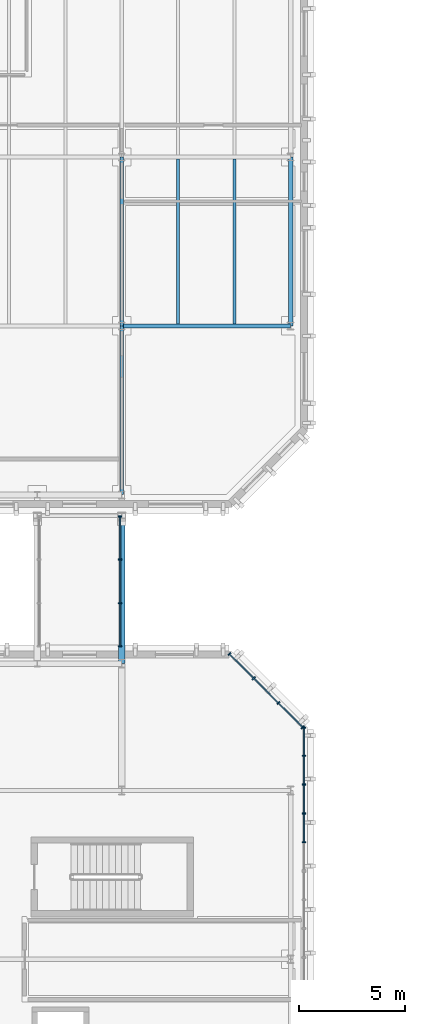
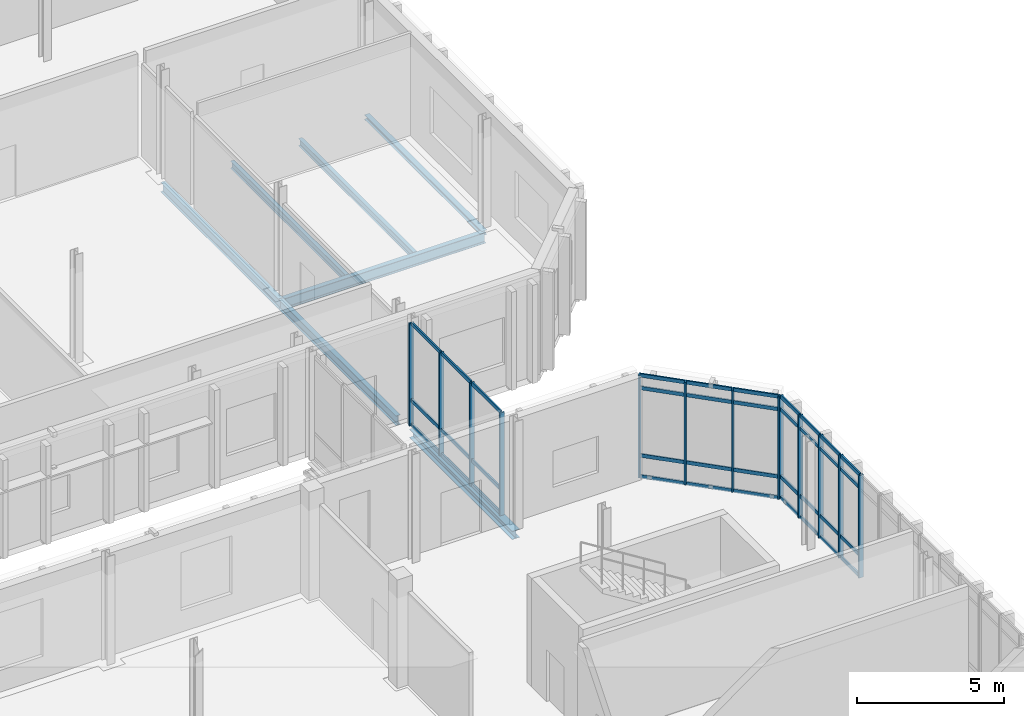
# One storey, part 39 of 100: 50 members, 7 beams, 3 elements without a shape of their own.
"""IFC4 building model written with IfcOpenShell, lengths in metres."""

from ifc_helpers import new_model, si_unit, direction, frame, origin, origin_2d, place, context, subcontext, project, spatial, rectangle, i_section, extrude, material, material_profile, profile_set, type_object, element, aggregate, save


model = new_model("IFC4")

# Units and contexts
model_context = context("Model", 3, precision=1e-05, world=origin(), true_north=direction((0.0, 1.0)))
body_context = subcontext(model_context, "Body", "Model", "MODEL_VIEW")
ifc_project = project(units=[si_unit("LENGTHUNIT", "METRE"), si_unit("AREAUNIT", "SQUARE_METRE"), si_unit("VOLUMEUNIT", "CUBIC_METRE"), si_unit("PLANEANGLEUNIT", "RADIAN"), si_unit("MASSUNIT", "GRAM", prefix="KILO")], contexts=[model_context])

# Site, building, storey
site_placement = place(None, origin())
site = spatial("IfcSite", under=ifc_project, at=site_placement, CompositionType="ELEMENT")
building_placement = place(site_placement, origin())
building = spatial("IfcBuilding", under=site, at=building_placement, Name="Cymarion Research Institute", CompositionType="ELEMENT")
storey_placement = place(building_placement, frame((0.0, 0.0, 9.300048828125)))
storey = spatial("IfcBuildingStorey", under=building, at=storey_placement, Name="L02", CompositionType="ELEMENT", Elevation=9.300048828125)

# Curtain wall, members
ifc_material_1 = material(Name="Anodised aluminium unitised curtain wall with Low-E glazing", Category="aluminium")
curtain_wall_type_1 = type_object("IfcCurtainWallType", Name="UNITISED CURTAIN WALL CW20 6820X4250", PredefinedType="NOTDEFINED", material=ifc_material_1)
curtain_wall_1_placement = place(storey_placement, origin())
curtain_wall_1 = element("IfcCurtainWall", 1, at=curtain_wall_1_placement, inside=storey, type_object=curtain_wall_type_1, Name="L02 V4 unitised curtain wall CW20 #101", PredefinedType="NOTDEFINED")
ifc_material_2 = material(Name="Anodised aluminium framing", Category="aluminium")
ifc_material_profile_1 = material_profile(ifc_material_2, rectangle(XDim=0.06005859375, YDim=0.179931640625, at=origin_2d()), Name="ALU MULLION 60x180")
ifc_profile_set_1 = profile_set([ifc_material_profile_1], Name="Anodised aluminium framing")
member_type_1 = type_object("IfcMemberType", Name="CURTAIN WALL MULLION ML01 60X180", PredefinedType="MULLION", material=ifc_profile_set_1)
member_1_placement = place(storey_placement, frame((47.22998046875, 69.04443359375, 0.0), z_axis=(0.0, 0.0, 1.0), x_axis=(0.0, 1.0, 0.0)))
member_1 = element("IfcMember", 2, at=member_1_placement, type_object=member_type_1, Name="CW20 mullion 2", PredefinedType="MULLION", context=body_context, shape_type="SweptSolid", body=[
    extrude(rectangle(XDim=0.06005859375, YDim=0.179931640625, at=origin_2d()), origin(), (0.0, 0.0, 1.0), 4.25),
])
member_2_placement = place(storey_placement, frame((47.22998046875, 70.408203125, 0.0), z_axis=(0.0, 0.0, 1.0), x_axis=(0.0, 1.0, 0.0)))
member_2 = element("IfcMember", 3, at=member_2_placement, type_object=member_type_1, Name="CW20 mullion 3", PredefinedType="MULLION", context=body_context, shape_type="SweptSolid", body=[
    extrude(rectangle(XDim=0.06005859375, YDim=0.179931640625, at=origin_2d()), origin(), (0.0, 0.0, 1.0), 4.25),
])
member_3_placement = place(storey_placement, frame((47.22998046875, 71.772216796875, 0.0), z_axis=(0.0, 0.0, 1.0), x_axis=(0.0, 1.0, 0.0)))
member_3 = element("IfcMember", 4, at=member_3_placement, type_object=member_type_1, Name="CW20 mullion 4", PredefinedType="MULLION", context=body_context, shape_type="SweptSolid", body=[
    extrude(rectangle(XDim=0.06005859375, YDim=0.179931640625, at=origin_2d()), origin(), (0.0, 0.0, 1.0), 4.25),
])
member_4_placement = place(storey_placement, frame((47.22998046875, 73.135986328125, 0.0), z_axis=(0.0, 0.0, 1.0), x_axis=(0.0, 1.0, 0.0)))
member_4 = element("IfcMember", 5, at=member_4_placement, type_object=member_type_1, Name="CW20 mullion 5", PredefinedType="MULLION", context=body_context, shape_type="SweptSolid", body=[
    extrude(rectangle(XDim=0.06005859375, YDim=0.179931640625, at=origin_2d()), origin(), (0.0, 0.0, 1.0), 4.25),
])
member_5_placement = place(storey_placement, frame((47.22998046875, 74.469970703125, 0.0), z_axis=(0.0, 0.0, 1.0), x_axis=(0.0, 1.0, 0.0)))
member_5 = element("IfcMember", 6, at=member_5_placement, type_object=member_type_1, Name="CW20 mullion 6", PredefinedType="MULLION", context=body_context, shape_type="SweptSolid", body=[
    extrude(rectangle(XDim=0.06005859375, YDim=0.179931640625, at=origin_2d()), origin(), (0.0, 0.0, 1.0), 4.25),
])

curtain_wall_type_2 = type_object("IfcCurtainWallType", Name="UNITISED CURTAIN WALL CW21 4970X4250", PredefinedType="NOTDEFINED", material=ifc_material_1)
curtain_wall_2_placement = place(storey_placement, origin())
curtain_wall_2 = element("IfcCurtainWall", 7, at=curtain_wall_2_placement, inside=storey, type_object=curtain_wall_type_2, Name="L02 V4 unitised curtain wall CW21 #102", PredefinedType="NOTDEFINED")
member_6_placement = place(storey_placement, frame((47.171630859375, 74.48779296875, 0.0), z_axis=(0.0, 0.0, 1.0), x_axis=(-0.707096717405, 0.707116844825, 0.0)))
member_6 = element("IfcMember", 8, at=member_6_placement, type_object=member_type_1, Name="CW21 mullion 1", PredefinedType="MULLION", context=body_context, shape_type="SweptSolid", body=[
    extrude(rectangle(XDim=0.06005859375, YDim=0.179931640625, at=origin_2d()), origin(), (0.0, 0.0, 1.0), 4.25),
])
member_7_placement = place(storey_placement, frame((46.02197265625, 75.6376953125, 0.0), z_axis=(0.0, 0.0, 1.0), x_axis=(-0.707096717405, 0.707116844825, 0.0)))
member_7 = element("IfcMember", 9, at=member_7_placement, type_object=member_type_1, Name="CW21 mullion 2", PredefinedType="MULLION", context=body_context, shape_type="SweptSolid", body=[
    extrude(rectangle(XDim=0.06005859375, YDim=0.179931640625, at=origin_2d()), origin(), (0.0, 0.0, 1.0), 4.25),
])
member_8_placement = place(storey_placement, frame((44.850830078125, 76.808837890625, 0.0), z_axis=(0.0, 0.0, 1.0), x_axis=(-0.707096717405, 0.707116844825, 0.0)))
member_8 = element("IfcMember", 10, at=member_8_placement, type_object=member_type_1, Name="CW21 mullion 3", PredefinedType="MULLION", context=body_context, shape_type="SweptSolid", body=[
    extrude(rectangle(XDim=0.06005859375, YDim=0.179931640625, at=origin_2d()), origin(), (0.0, 0.0, 1.0), 4.25),
])
member_9_placement = place(storey_placement, frame((43.700927734375, 77.95849609375, 0.0), z_axis=(0.0, 0.0, 1.0), x_axis=(-0.707096717405, 0.707116844825, 0.0)))
member_9 = element("IfcMember", 11, at=member_9_placement, type_object=member_type_1, Name="CW21 mullion 4", PredefinedType="MULLION", context=body_context, shape_type="SweptSolid", body=[
    extrude(rectangle(XDim=0.06005859375, YDim=0.179931640625, at=origin_2d()), origin(), (0.0, 0.0, 1.0), 4.25),
])

curtain_wall_type_3 = type_object("IfcCurtainWallType", Name="UNITISED CURTAIN WALL CW25 6200X4260", PredefinedType="NOTDEFINED", material=ifc_material_1)
curtain_wall_3_placement = place(storey_placement, origin())
curtain_wall_3 = element("IfcCurtainWall", 12, at=curtain_wall_3_placement, inside=storey, type_object=curtain_wall_type_3, Name="L02 SP2 sky-passage glazed wall 2", PredefinedType="NOTDEFINED")
member_10_placement = place(storey_placement, frame((38.52001953125, 78.330078125, 0.0), z_axis=(0.0, 0.0, 1.0), x_axis=(0.0, 1.0, 0.0)))
member_10 = element("IfcMember", 13, at=member_10_placement, type_object=member_type_1, Name="CW25 mullion 1", PredefinedType="MULLION", context=body_context, shape_type="SweptSolid", body=[
    extrude(rectangle(XDim=0.06005859375, YDim=0.179931640625, at=origin_2d()), origin(), (0.0, 0.0, 1.0), 4.260009765625),
])
member_11_placement = place(storey_placement, frame((38.52001953125, 80.36669921875, 0.0), z_axis=(0.0, 0.0, 1.0), x_axis=(0.0, 1.0, 0.0)))
member_11 = element("IfcMember", 14, at=member_11_placement, type_object=member_type_1, Name="CW25 mullion 2", PredefinedType="MULLION", context=body_context, shape_type="SweptSolid", body=[
    extrude(rectangle(XDim=0.06005859375, YDim=0.179931640625, at=origin_2d()), origin(), (0.0, 0.0, 1.0), 4.260009765625),
])
member_12_placement = place(storey_placement, frame((38.52001953125, 82.433349609375, 0.0), z_axis=(0.0, 0.0, 1.0), x_axis=(0.0, 1.0, 0.0)))
member_12 = element("IfcMember", 15, at=member_12_placement, type_object=member_type_1, Name="CW25 mullion 3", PredefinedType="MULLION", context=body_context, shape_type="SweptSolid", body=[
    extrude(rectangle(XDim=0.06005859375, YDim=0.179931640625, at=origin_2d()), origin(), (0.0, 0.0, 1.0), 4.260009765625),
])
member_13_placement = place(storey_placement, frame((38.52001953125, 84.469970703125, 0.0), z_axis=(0.0, 0.0, 1.0), x_axis=(0.0, 1.0, 0.0)))
member_13 = element("IfcMember", 16, at=member_13_placement, type_object=member_type_1, Name="CW25 mullion 4", PredefinedType="MULLION", context=body_context, shape_type="SweptSolid", body=[
    extrude(rectangle(XDim=0.06005859375, YDim=0.179931640625, at=origin_2d()), origin(), (0.0, 0.0, 1.0), 4.260009765625),
])

# Member
ifc_material_profile_2 = material_profile(ifc_material_2, rectangle(XDim=0.06005859375, YDim=0.14990234375, at=origin_2d()), Name="ALU TRANSOM 60x150")
ifc_profile_set_2 = profile_set([ifc_material_profile_2], Name="Anodised aluminium framing")
member_type_2 = type_object("IfcMemberType", Name="CURTAIN WALL TRANSOM TR01 60X150", PredefinedType="USERDEFINED", material=ifc_profile_set_2)
member_14_placement = place(storey_placement, frame((47.22998046875, 69.074462890625, 0.030029296875), z_axis=(0.0, 1.0, 0.0), x_axis=(-1.0, 0.0, 0.0)))
member_14 = element("IfcMember", 17, at=member_14_placement, type_object=member_type_2, Name="CW20 transom 2.1", ObjectType="TRANSOM", PredefinedType="USERDEFINED", context=body_context, shape_type="SweptSolid", body=[
    extrude(rectangle(XDim=0.06005859375, YDim=0.14990234375, at=origin_2d()), origin(), (0.0, 0.0, 1.0), 1.303955078125),
])

member_15_placement = place(storey_placement, frame((47.22998046875, 69.074462890625, 0.89990234375), z_axis=(0.0, 1.0, 0.0), x_axis=(-1.0, 0.0, 0.0)))
member_15 = element("IfcMember", 18, at=member_15_placement, type_object=member_type_2, Name="CW20 transom 2.2", ObjectType="TRANSOM", PredefinedType="USERDEFINED", context=body_context, shape_type="SweptSolid", body=[
    extrude(rectangle(XDim=0.06005859375, YDim=0.14990234375, at=origin_2d()), origin(), (0.0, 0.0, 1.0), 1.303955078125),
])

member_16_placement = place(storey_placement, frame((47.22998046875, 69.074462890625, 3.699951171875), z_axis=(0.0, 1.0, 0.0), x_axis=(-1.0, 0.0, 0.0)))
member_16 = element("IfcMember", 19, at=member_16_placement, type_object=member_type_2, Name="CW20 transom 2.3", ObjectType="TRANSOM", PredefinedType="USERDEFINED", context=body_context, shape_type="SweptSolid", body=[
    extrude(rectangle(XDim=0.06005859375, YDim=0.14990234375, at=origin_2d()), origin(), (0.0, 0.0, 1.0), 1.303955078125),
])

member_17_placement = place(storey_placement, frame((47.22998046875, 69.074462890625, 4.219970703125), z_axis=(0.0, 1.0, 0.0), x_axis=(-1.0, 0.0, 0.0)))
member_17 = element("IfcMember", 20, at=member_17_placement, type_object=member_type_2, Name="CW20 transom 2.4", ObjectType="TRANSOM", PredefinedType="USERDEFINED", context=body_context, shape_type="SweptSolid", body=[
    extrude(rectangle(XDim=0.06005859375, YDim=0.14990234375, at=origin_2d()), origin(), (0.0, 0.0, 1.0), 1.303955078125),
])

member_18_placement = place(storey_placement, frame((47.22998046875, 70.438232421875, 0.030029296875), z_axis=(0.0, 1.0, 0.0), x_axis=(-1.0, 0.0, 0.0)))
member_18 = element("IfcMember", 21, at=member_18_placement, type_object=member_type_2, Name="CW20 transom 3.1", ObjectType="TRANSOM", PredefinedType="USERDEFINED", context=body_context, shape_type="SweptSolid", body=[
    extrude(rectangle(XDim=0.06005859375, YDim=0.14990234375, at=origin_2d()), origin(), (0.0, 0.0, 1.0), 1.303955078125),
])

member_19_placement = place(storey_placement, frame((47.22998046875, 70.438232421875, 0.89990234375), z_axis=(0.0, 1.0, 0.0), x_axis=(-1.0, 0.0, 0.0)))
member_19 = element("IfcMember", 22, at=member_19_placement, type_object=member_type_2, Name="CW20 transom 3.2", ObjectType="TRANSOM", PredefinedType="USERDEFINED", context=body_context, shape_type="SweptSolid", body=[
    extrude(rectangle(XDim=0.06005859375, YDim=0.14990234375, at=origin_2d()), origin(), (0.0, 0.0, 1.0), 1.303955078125),
])

member_20_placement = place(storey_placement, frame((47.22998046875, 70.438232421875, 3.699951171875), z_axis=(0.0, 1.0, 0.0), x_axis=(-1.0, 0.0, 0.0)))
member_20 = element("IfcMember", 23, at=member_20_placement, type_object=member_type_2, Name="CW20 transom 3.3", ObjectType="TRANSOM", PredefinedType="USERDEFINED", context=body_context, shape_type="SweptSolid", body=[
    extrude(rectangle(XDim=0.06005859375, YDim=0.14990234375, at=origin_2d()), origin(), (0.0, 0.0, 1.0), 1.303955078125),
])

member_21_placement = place(storey_placement, frame((47.22998046875, 70.438232421875, 4.219970703125), z_axis=(0.0, 1.0, 0.0), x_axis=(-1.0, 0.0, 0.0)))
member_21 = element("IfcMember", 24, at=member_21_placement, type_object=member_type_2, Name="CW20 transom 3.4", ObjectType="TRANSOM", PredefinedType="USERDEFINED", context=body_context, shape_type="SweptSolid", body=[
    extrude(rectangle(XDim=0.06005859375, YDim=0.14990234375, at=origin_2d()), origin(), (0.0, 0.0, 1.0), 1.303955078125),
])

member_22_placement = place(storey_placement, frame((47.22998046875, 71.80224609375, 0.030029296875), z_axis=(0.0, 1.0, 0.0), x_axis=(-1.0, 0.0, 0.0)))
member_22 = element("IfcMember", 25, at=member_22_placement, type_object=member_type_2, Name="CW20 transom 4.1", ObjectType="TRANSOM", PredefinedType="USERDEFINED", context=body_context, shape_type="SweptSolid", body=[
    extrude(rectangle(XDim=0.06005859375, YDim=0.14990234375, at=origin_2d()), origin(), (0.0, 0.0, 1.0), 1.303955078125),
])

member_23_placement = place(storey_placement, frame((47.22998046875, 71.80224609375, 0.89990234375), z_axis=(0.0, 1.0, 0.0), x_axis=(-1.0, 0.0, 0.0)))
member_23 = element("IfcMember", 26, at=member_23_placement, type_object=member_type_2, Name="CW20 transom 4.2", ObjectType="TRANSOM", PredefinedType="USERDEFINED", context=body_context, shape_type="SweptSolid", body=[
    extrude(rectangle(XDim=0.06005859375, YDim=0.14990234375, at=origin_2d()), origin(), (0.0, 0.0, 1.0), 1.303955078125),
])

member_24_placement = place(storey_placement, frame((47.22998046875, 71.80224609375, 3.699951171875), z_axis=(0.0, 1.0, 0.0), x_axis=(-1.0, 0.0, 0.0)))
member_24 = element("IfcMember", 27, at=member_24_placement, type_object=member_type_2, Name="CW20 transom 4.3", ObjectType="TRANSOM", PredefinedType="USERDEFINED", context=body_context, shape_type="SweptSolid", body=[
    extrude(rectangle(XDim=0.06005859375, YDim=0.14990234375, at=origin_2d()), origin(), (0.0, 0.0, 1.0), 1.303955078125),
])

member_25_placement = place(storey_placement, frame((47.22998046875, 71.80224609375, 4.219970703125), z_axis=(0.0, 1.0, 0.0), x_axis=(-1.0, 0.0, 0.0)))
member_25 = element("IfcMember", 28, at=member_25_placement, type_object=member_type_2, Name="CW20 transom 4.4", ObjectType="TRANSOM", PredefinedType="USERDEFINED", context=body_context, shape_type="SweptSolid", body=[
    extrude(rectangle(XDim=0.06005859375, YDim=0.14990234375, at=origin_2d()), origin(), (0.0, 0.0, 1.0), 1.303955078125),
])

member_26_placement = place(storey_placement, frame((47.22998046875, 73.166015625, 0.030029296875), z_axis=(0.0, 1.0, 0.0), x_axis=(-1.0, 0.0, 0.0)))
member_26 = element("IfcMember", 29, at=member_26_placement, type_object=member_type_2, Name="CW20 transom 5.1", ObjectType="TRANSOM", PredefinedType="USERDEFINED", context=body_context, shape_type="SweptSolid", body=[
    extrude(rectangle(XDim=0.06005859375, YDim=0.14990234375, at=origin_2d()), origin(), (0.0, 0.0, 1.0), 1.27392578125),
])

member_27_placement = place(storey_placement, frame((47.22998046875, 73.166015625, 0.89990234375), z_axis=(0.0, 1.0, 0.0), x_axis=(-1.0, 0.0, 0.0)))
member_27 = element("IfcMember", 30, at=member_27_placement, type_object=member_type_2, Name="CW20 transom 5.2", ObjectType="TRANSOM", PredefinedType="USERDEFINED", context=body_context, shape_type="SweptSolid", body=[
    extrude(rectangle(XDim=0.06005859375, YDim=0.14990234375, at=origin_2d()), origin(), (0.0, 0.0, 1.0), 1.27392578125),
])

member_28_placement = place(storey_placement, frame((47.22998046875, 73.166015625, 3.699951171875), z_axis=(0.0, 1.0, 0.0), x_axis=(-1.0, 0.0, 0.0)))
member_28 = element("IfcMember", 31, at=member_28_placement, type_object=member_type_2, Name="CW20 transom 5.3", ObjectType="TRANSOM", PredefinedType="USERDEFINED", context=body_context, shape_type="SweptSolid", body=[
    extrude(rectangle(XDim=0.06005859375, YDim=0.14990234375, at=origin_2d()), origin(), (0.0, 0.0, 1.0), 1.27392578125),
])

member_29_placement = place(storey_placement, frame((47.22998046875, 73.166015625, 4.219970703125), z_axis=(0.0, 1.0, 0.0), x_axis=(-1.0, 0.0, 0.0)))
member_29 = element("IfcMember", 32, at=member_29_placement, type_object=member_type_2, Name="CW20 transom 5.4", ObjectType="TRANSOM", PredefinedType="USERDEFINED", context=body_context, shape_type="SweptSolid", body=[
    extrude(rectangle(XDim=0.06005859375, YDim=0.14990234375, at=origin_2d()), origin(), (0.0, 0.0, 1.0), 1.27392578125),
])

aggregate(curtain_wall_1, [member_1, member_2, member_3, member_4, member_5, member_14, member_15, member_16, member_17, member_18, member_19, member_20, member_21, member_22, member_23, member_24, member_25, member_26, member_27, member_28, member_29])

member_30_placement = place(storey_placement, frame((47.150390625, 74.509033203125, 0.030029296875), z_axis=(-0.707106781187, 0.707106781187, 0.0), x_axis=(-0.707106781187, -0.707106781187, 0.0)))
member_30 = element("IfcMember", 33, at=member_30_placement, type_object=member_type_2, Name="CW21 transom 1.1", ObjectType="TRANSOM", PredefinedType="USERDEFINED", context=body_context, shape_type="SweptSolid", body=[
    extrude(rectangle(XDim=0.06005859375, YDim=0.14990234375, at=origin_2d()), origin(), (0.0, 0.0, 1.0), 1.566162109375),
])

member_31_placement = place(storey_placement, frame((47.150390625, 74.509033203125, 0.89990234375), z_axis=(-0.707106781187, 0.707106781187, 0.0), x_axis=(-0.707106781187, -0.707106781187, 0.0)))
member_31 = element("IfcMember", 34, at=member_31_placement, type_object=member_type_2, Name="CW21 transom 1.2", ObjectType="TRANSOM", PredefinedType="USERDEFINED", context=body_context, shape_type="SweptSolid", body=[
    extrude(rectangle(XDim=0.06005859375, YDim=0.14990234375, at=origin_2d()), origin(), (0.0, 0.0, 1.0), 1.566162109375),
])

member_32_placement = place(storey_placement, frame((47.150390625, 74.509033203125, 3.699951171875), z_axis=(-0.707106781187, 0.707106781187, 0.0), x_axis=(-0.707106781187, -0.707106781187, 0.0)))
member_32 = element("IfcMember", 35, at=member_32_placement, type_object=member_type_2, Name="CW21 transom 1.3", ObjectType="TRANSOM", PredefinedType="USERDEFINED", context=body_context, shape_type="SweptSolid", body=[
    extrude(rectangle(XDim=0.06005859375, YDim=0.14990234375, at=origin_2d()), origin(), (0.0, 0.0, 1.0), 1.566162109375),
])

member_33_placement = place(storey_placement, frame((47.150390625, 74.509033203125, 4.219970703125), z_axis=(-0.707106781187, 0.707106781187, 0.0), x_axis=(-0.707106781187, -0.707106781187, 0.0)))
member_33 = element("IfcMember", 36, at=member_33_placement, type_object=member_type_2, Name="CW21 transom 1.4", ObjectType="TRANSOM", PredefinedType="USERDEFINED", context=body_context, shape_type="SweptSolid", body=[
    extrude(rectangle(XDim=0.06005859375, YDim=0.14990234375, at=origin_2d()), origin(), (0.0, 0.0, 1.0), 1.566162109375),
])

member_34_placement = place(storey_placement, frame((46.000732421875, 75.658935546875, 0.030029296875), z_axis=(-0.707106781187, 0.707106781187, 0.0), x_axis=(-0.707106781187, -0.707106781187, 0.0)))
member_34 = element("IfcMember", 37, at=member_34_placement, type_object=member_type_2, Name="CW21 transom 2.1", ObjectType="TRANSOM", PredefinedType="USERDEFINED", context=body_context, shape_type="SweptSolid", body=[
    extrude(rectangle(XDim=0.06005859375, YDim=0.14990234375, at=origin_2d()), origin(), (0.0, 0.0, 1.0), 1.59619140625),
])

member_35_placement = place(storey_placement, frame((46.000732421875, 75.658935546875, 0.89990234375), z_axis=(-0.707106781187, 0.707106781187, 0.0), x_axis=(-0.707106781187, -0.707106781187, 0.0)))
member_35 = element("IfcMember", 38, at=member_35_placement, type_object=member_type_2, Name="CW21 transom 2.2", ObjectType="TRANSOM", PredefinedType="USERDEFINED", context=body_context, shape_type="SweptSolid", body=[
    extrude(rectangle(XDim=0.06005859375, YDim=0.14990234375, at=origin_2d()), origin(), (0.0, 0.0, 1.0), 1.59619140625),
])

member_36_placement = place(storey_placement, frame((46.000732421875, 75.658935546875, 3.699951171875), z_axis=(-0.707106781187, 0.707106781187, 0.0), x_axis=(-0.707106781187, -0.707106781187, 0.0)))
member_36 = element("IfcMember", 39, at=member_36_placement, type_object=member_type_2, Name="CW21 transom 2.3", ObjectType="TRANSOM", PredefinedType="USERDEFINED", context=body_context, shape_type="SweptSolid", body=[
    extrude(rectangle(XDim=0.06005859375, YDim=0.14990234375, at=origin_2d()), origin(), (0.0, 0.0, 1.0), 1.59619140625),
])

member_37_placement = place(storey_placement, frame((46.000732421875, 75.658935546875, 4.219970703125), z_axis=(-0.707106781187, 0.707106781187, 0.0), x_axis=(-0.707106781187, -0.707106781187, 0.0)))
member_37 = element("IfcMember", 40, at=member_37_placement, type_object=member_type_2, Name="CW21 transom 2.4", ObjectType="TRANSOM", PredefinedType="USERDEFINED", context=body_context, shape_type="SweptSolid", body=[
    extrude(rectangle(XDim=0.06005859375, YDim=0.14990234375, at=origin_2d()), origin(), (0.0, 0.0, 1.0), 1.59619140625),
])

member_38_placement = place(storey_placement, frame((44.82958984375, 76.829833984375, 0.030029296875), z_axis=(-0.707106781187, 0.707106781187, 0.0), x_axis=(-0.707106781187, -0.707106781187, 0.0)))
member_38 = element("IfcMember", 41, at=member_38_placement, type_object=member_type_2, Name="CW21 transom 3.1", ObjectType="TRANSOM", PredefinedType="USERDEFINED", context=body_context, shape_type="SweptSolid", body=[
    extrude(rectangle(XDim=0.06005859375, YDim=0.14990234375, at=origin_2d()), origin(), (0.0, 0.0, 1.0), 1.566162109375),
])

member_39_placement = place(storey_placement, frame((44.82958984375, 76.829833984375, 0.89990234375), z_axis=(-0.707106781187, 0.707106781187, 0.0), x_axis=(-0.707106781187, -0.707106781187, 0.0)))
member_39 = element("IfcMember", 42, at=member_39_placement, type_object=member_type_2, Name="CW21 transom 3.2", ObjectType="TRANSOM", PredefinedType="USERDEFINED", context=body_context, shape_type="SweptSolid", body=[
    extrude(rectangle(XDim=0.06005859375, YDim=0.14990234375, at=origin_2d()), origin(), (0.0, 0.0, 1.0), 1.566162109375),
])

member_40_placement = place(storey_placement, frame((44.82958984375, 76.829833984375, 3.699951171875), z_axis=(-0.707106781187, 0.707106781187, 0.0), x_axis=(-0.707106781187, -0.707106781187, 0.0)))
member_40 = element("IfcMember", 43, at=member_40_placement, type_object=member_type_2, Name="CW21 transom 3.3", ObjectType="TRANSOM", PredefinedType="USERDEFINED", context=body_context, shape_type="SweptSolid", body=[
    extrude(rectangle(XDim=0.06005859375, YDim=0.14990234375, at=origin_2d()), origin(), (0.0, 0.0, 1.0), 1.566162109375),
])

member_41_placement = place(storey_placement, frame((44.82958984375, 76.829833984375, 4.219970703125), z_axis=(-0.707106781187, 0.707106781187, 0.0), x_axis=(-0.707106781187, -0.707106781187, 0.0)))
member_41 = element("IfcMember", 44, at=member_41_placement, type_object=member_type_2, Name="CW21 transom 3.4", ObjectType="TRANSOM", PredefinedType="USERDEFINED", context=body_context, shape_type="SweptSolid", body=[
    extrude(rectangle(XDim=0.06005859375, YDim=0.14990234375, at=origin_2d()), origin(), (0.0, 0.0, 1.0), 1.566162109375),
])

aggregate(curtain_wall_2, [member_6, member_7, member_8, member_9, member_30, member_31, member_32, member_33, member_34, member_35, member_36, member_37, member_38, member_39, member_40, member_41])

member_42_placement = place(storey_placement, frame((38.52001953125, 78.360107421875, 0.030029296875), z_axis=(0.0, 1.0, 0.0), x_axis=(-1.0, 0.0, 0.0)))
member_42 = element("IfcMember", 45, at=member_42_placement, type_object=member_type_2, Name="CW25 transom 1.1", ObjectType="TRANSOM", PredefinedType="USERDEFINED", context=body_context, shape_type="SweptSolid", body=[
    extrude(rectangle(XDim=0.06005859375, YDim=0.14990234375, at=origin_2d()), origin(), (0.0, 0.0, 1.0), 1.9765625),
])

member_43_placement = place(storey_placement, frame((38.52001953125, 78.360107421875, 1.050048828125), z_axis=(0.0, 1.0, 0.0), x_axis=(-1.0, 0.0, 0.0)))
member_43 = element("IfcMember", 46, at=member_43_placement, type_object=member_type_2, Name="CW25 transom 1.2", ObjectType="TRANSOM", PredefinedType="USERDEFINED", context=body_context, shape_type="SweptSolid", body=[
    extrude(rectangle(XDim=0.06005859375, YDim=0.14990234375, at=origin_2d()), origin(), (0.0, 0.0, 1.0), 1.9765625),
])

member_44_placement = place(storey_placement, frame((38.52001953125, 78.360107421875, 4.22998046875), z_axis=(0.0, 1.0, 0.0), x_axis=(-1.0, 0.0, 0.0)))
member_44 = element("IfcMember", 47, at=member_44_placement, type_object=member_type_2, Name="CW25 transom 1.3", ObjectType="TRANSOM", PredefinedType="USERDEFINED", context=body_context, shape_type="SweptSolid", body=[
    extrude(rectangle(XDim=0.06005859375, YDim=0.14990234375, at=origin_2d()), origin(), (0.0, 0.0, 1.0), 1.9765625),
])

member_45_placement = place(storey_placement, frame((38.52001953125, 80.396728515625, 0.030029296875), z_axis=(0.0, 1.0, 0.0), x_axis=(-1.0, 0.0, 0.0)))
member_45 = element("IfcMember", 48, at=member_45_placement, type_object=member_type_2, Name="CW25 transom 2.1", ObjectType="TRANSOM", PredefinedType="USERDEFINED", context=body_context, shape_type="SweptSolid", body=[
    extrude(rectangle(XDim=0.06005859375, YDim=0.14990234375, at=origin_2d()), origin(), (0.0, 0.0, 1.0), 2.006591796875),
])

member_46_placement = place(storey_placement, frame((38.52001953125, 80.396728515625, 1.050048828125), z_axis=(0.0, 1.0, 0.0), x_axis=(-1.0, 0.0, 0.0)))
member_46 = element("IfcMember", 49, at=member_46_placement, type_object=member_type_2, Name="CW25 transom 2.2", ObjectType="TRANSOM", PredefinedType="USERDEFINED", context=body_context, shape_type="SweptSolid", body=[
    extrude(rectangle(XDim=0.06005859375, YDim=0.14990234375, at=origin_2d()), origin(), (0.0, 0.0, 1.0), 2.006591796875),
])

member_47_placement = place(storey_placement, frame((38.52001953125, 80.396728515625, 4.22998046875), z_axis=(0.0, 1.0, 0.0), x_axis=(-1.0, 0.0, 0.0)))
member_47 = element("IfcMember", 50, at=member_47_placement, type_object=member_type_2, Name="CW25 transom 2.3", ObjectType="TRANSOM", PredefinedType="USERDEFINED", context=body_context, shape_type="SweptSolid", body=[
    extrude(rectangle(XDim=0.06005859375, YDim=0.14990234375, at=origin_2d()), origin(), (0.0, 0.0, 1.0), 2.006591796875),
])

member_48_placement = place(storey_placement, frame((38.52001953125, 82.46337890625, 0.030029296875), z_axis=(0.0, 1.0, 0.0), x_axis=(-1.0, 0.0, 0.0)))
member_48 = element("IfcMember", 51, at=member_48_placement, type_object=member_type_2, Name="CW25 transom 3.1", ObjectType="TRANSOM", PredefinedType="USERDEFINED", context=body_context, shape_type="SweptSolid", body=[
    extrude(rectangle(XDim=0.06005859375, YDim=0.14990234375, at=origin_2d()), origin(), (0.0, 0.0, 1.0), 1.9765625),
])

member_49_placement = place(storey_placement, frame((38.52001953125, 82.46337890625, 1.050048828125), z_axis=(0.0, 1.0, 0.0), x_axis=(-1.0, 0.0, 0.0)))
member_49 = element("IfcMember", 52, at=member_49_placement, type_object=member_type_2, Name="CW25 transom 3.2", ObjectType="TRANSOM", PredefinedType="USERDEFINED", context=body_context, shape_type="SweptSolid", body=[
    extrude(rectangle(XDim=0.06005859375, YDim=0.14990234375, at=origin_2d()), origin(), (0.0, 0.0, 1.0), 1.9765625),
])

member_50_placement = place(storey_placement, frame((38.52001953125, 82.46337890625, 4.22998046875), z_axis=(0.0, 1.0, 0.0), x_axis=(-1.0, 0.0, 0.0)))
member_50 = element("IfcMember", 53, at=member_50_placement, type_object=member_type_2, Name="CW25 transom 3.3", ObjectType="TRANSOM", PredefinedType="USERDEFINED", context=body_context, shape_type="SweptSolid", body=[
    extrude(rectangle(XDim=0.06005859375, YDim=0.14990234375, at=origin_2d()), origin(), (0.0, 0.0, 1.0), 1.9765625),
])

aggregate(curtain_wall_3, [member_10, member_11, member_12, member_13, member_42, member_43, member_44, member_45, member_46, member_47, member_48, member_49, member_50])

# Beams
ifc_material_3 = material(Name="Steel S355", Category="steel")
ifc_material_profile_3 = material_profile(ifc_material_3, i_section(OverallWidth=0.18994140625, OverallDepth=0.449951171875, WebThickness=0.009521484375, FlangeThickness=0.0146484375, FilletRadius=0.02099609375, at=origin_2d()), Name="IPE 450")
ifc_profile_set_3 = profile_set([ifc_material_profile_3], Name="Steel S355")
beam_type_1 = type_object("IfcBeamType", Name="PRIMARY GIRDER BM04 IPE 450", PredefinedType="BEAM", material=ifc_profile_set_3)
beam_1_placement = place(storey_placement, frame((38.60595703125, 93.5, -0.47509765625), z_axis=(1.0, 0.0, 0.0), x_axis=(0.0, 1.0, 0.0)))
element("IfcBeam", 54, at=beam_1_placement, inside=storey, type_object=beam_type_1, Name="L02 V5 girder BM04 #1108", PredefinedType="BEAM", context=body_context, shape_type="SweptSolid", body=[
    extrude(i_section(OverallWidth=0.18994140625, OverallDepth=0.449951171875, WebThickness=0.009521484375, FlangeThickness=0.0146484375, FilletRadius=0.02099609375, at=origin_2d()), origin(), (0.0, 0.0, 1.0), 7.988037109375),
])
ifc_material_profile_4 = material_profile(ifc_material_3, i_section(OverallWidth=0.179931640625, OverallDepth=0.39990234375, WebThickness=0.008544921875, FlangeThickness=0.013427734375, FilletRadius=0.02099609375, at=origin_2d()), Name="IPE 400")
ifc_profile_set_4 = profile_set([ifc_material_profile_4], Name="Steel S355")
beam_type_2 = type_object("IfcBeamType", Name="PRIMARY GIRDER BM05 IPE 400", PredefinedType="BEAM", material=ifc_profile_set_4)
for number, where, z_axis, x_axis, name in (
    (55, (38.60009765625, 85.506103515625, -0.449951171875), (0.0, 1.0, 0.0), (-1.0, 0.0, 0.0), "L02 V5 girder BM05 #1136"),
    (56, (38.60009765625, 93.506103515625, -0.449951171875), (0.0, 1.0, 0.0), (-1.0, 0.0, 0.0), "L02 V5 girder BM05 #1137"),
):
    element("IfcBeam", number, at=place(storey_placement, frame(where, z_axis=z_axis, x_axis=x_axis)), inside=storey, type_object=beam_type_2, Name=name, PredefinedType="BEAM", context=body_context, shape_type="SweptSolid", body=[
        extrude(i_section(OverallWidth=0.179931640625, OverallDepth=0.39990234375, WebThickness=0.008544921875, FlangeThickness=0.013427734375, FilletRadius=0.02099609375, at=origin_2d()), origin(), (0.0, 0.0, 1.0), 7.98779296875),
    ])
ifc_material_profile_5 = material_profile(ifc_material_3, i_section(OverallWidth=0.300048828125, OverallDepth=0.35009765625, WebThickness=0.010009765625, FlangeThickness=0.017578125, FilletRadius=0.027099609375, at=origin_2d()), Name="HEA 360")
ifc_profile_set_5 = profile_set([ifc_material_profile_5], Name="Steel S355")
beam_type_3 = type_object("IfcBeamType", Name="PRIMARY GIRDER BM12 HEA 360", PredefinedType="BEAM", material=ifc_profile_set_5)
beam_2_placement = place(storey_placement, frame((38.60009765625, 77.506103515625, -0.3349609375), z_axis=(0.0, 1.0, 0.0), x_axis=(-1.0, 0.0, 0.0)))
element("IfcBeam", 57, at=beam_2_placement, inside=storey, type_object=beam_type_3, Name="L02 V4 girder BM12 #1072", PredefinedType="BEAM", context=body_context, shape_type="SweptSolid", body=[
    extrude(i_section(OverallWidth=0.300048828125, OverallDepth=0.35009765625, WebThickness=0.010009765625, FlangeThickness=0.017578125, FilletRadius=0.027099609375, at=origin_2d()), origin(), (0.0, 0.0, 1.0), 6.98779296875),
])
ifc_material_profile_6 = material_profile(ifc_material_3, i_section(OverallWidth=0.14990234375, OverallDepth=0.300048828125, WebThickness=0.007080078125, FlangeThickness=0.0107421875, FilletRadius=0.014892578125, at=origin_2d()), Name="IPE 300")
ifc_profile_set_6 = profile_set([ifc_material_profile_6], Name="Steel S355")
beam_type_4 = type_object("IfcBeamType", Name="SECONDARY JOIST JS02 IPE 300", PredefinedType="JOIST", material=ifc_profile_set_6)
for number, where, z_axis, x_axis, name in (
    (58, (41.2666015625, 93.59912109375, -0.400146484375), (0.0, 1.0, 0.0), (-1.0, 0.0, 0.0), "L02 V5 secondary joist JS02 #1152"),
    (59, (43.933349609375, 93.59912109375, -0.400146484375), (0.0, 1.0, 0.0), (-1.0, 0.0, 0.0), "L02 V5 secondary joist JS02 #1153"),
):
    element("IfcBeam", number, at=place(storey_placement, frame(where, z_axis=z_axis, x_axis=x_axis)), inside=storey, type_object=beam_type_4, Name=name, PredefinedType="JOIST", context=body_context, shape_type="SweptSolid", body=[
        extrude(i_section(OverallWidth=0.14990234375, OverallDepth=0.300048828125, WebThickness=0.007080078125, FlangeThickness=0.0107421875, FilletRadius=0.014892578125, at=origin_2d()), origin(), (0.0, 0.0, 1.0), 7.8017578125),
    ])
ifc_material_profile_7 = material_profile(ifc_material_3, i_section(OverallWidth=0.199951171875, OverallDepth=0.18994140625, WebThickness=0.006591796875, FlangeThickness=0.010009765625, FilletRadius=0.01806640625, at=origin_2d()), Name="HEA 200")
ifc_profile_set_7 = profile_set([ifc_material_profile_7], Name="Steel S355")
beam_type_5 = type_object("IfcBeamType", Name="SPANDREL BEAM SPB04 HEA 200", PredefinedType="SPANDREL", material=ifc_profile_set_7)
beam_3_placement = place(storey_placement, frame((46.60009765625, 93.506103515625, -0.344970703125), z_axis=(0.0, 1.0, 0.0), x_axis=(-1.0, 0.0, 0.0)))
element("IfcBeam", 60, at=beam_3_placement, inside=storey, type_object=beam_type_5, Name="L02 V5 girder SPB04 #1139", PredefinedType="SPANDREL", context=body_context, shape_type="SweptSolid", body=[
    extrude(i_section(OverallWidth=0.199951171875, OverallDepth=0.18994140625, WebThickness=0.006591796875, FlangeThickness=0.010009765625, FilletRadius=0.01806640625, at=origin_2d()), origin(), (0.0, 0.0, 1.0), 7.98779296875),
])

save(model, "model.ifc")
